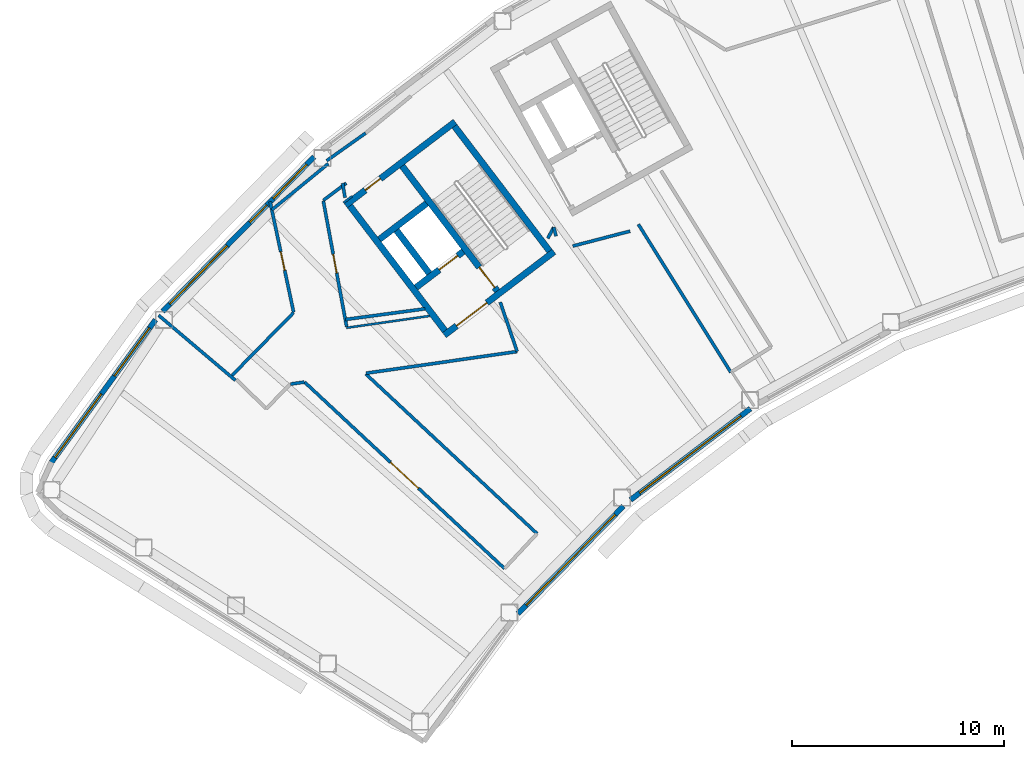
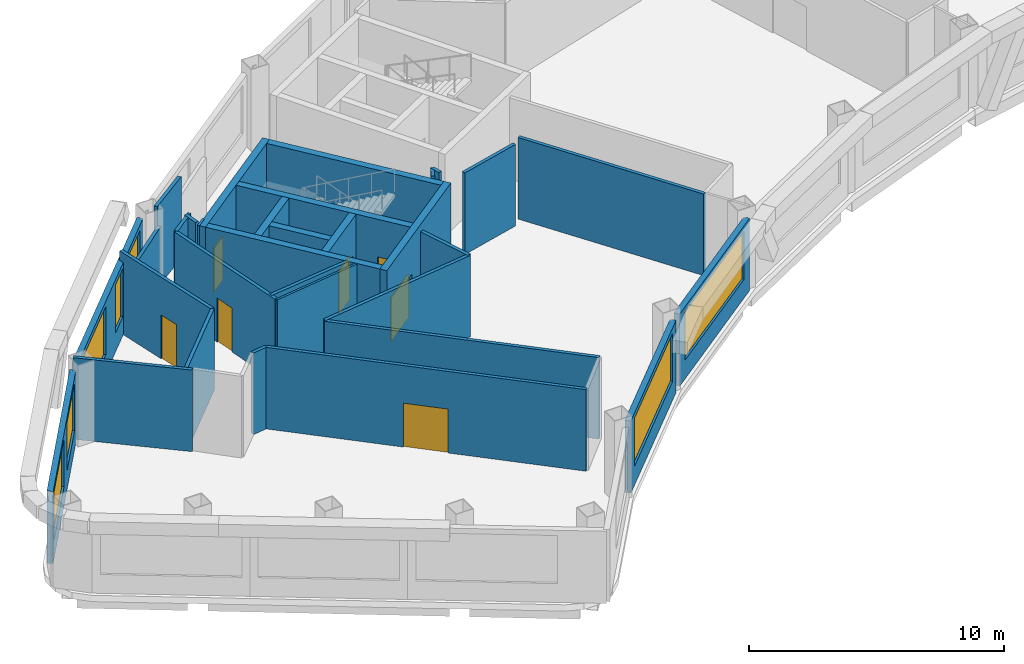
# One storey, part 5 of 13: 32 walls, 7 doors, 7 windows, 14 openings.
"""IFC4 building model written with IfcOpenShell, lengths in metres."""

from ifc_helpers import new_model, si_unit, direction, frame, frame_2d, origin, place, context, subcontext, project, spatial, rectangle, extrude, material, layer, layer_set, type_object, element, fill, save


model = new_model("IFC4")

# Units and contexts
model_context = context("Model", 3, precision=1e-05, world=origin(), true_north=direction((0.0, 1.0)))
body_context = subcontext(model_context, "Body", "Model", "MODEL_VIEW")
ifc_project = project(units=[si_unit("LENGTHUNIT", "METRE"), si_unit("AREAUNIT", "SQUARE_METRE"), si_unit("VOLUMEUNIT", "CUBIC_METRE"), si_unit("PLANEANGLEUNIT", "RADIAN"), si_unit("MASSUNIT", "GRAM", prefix="KILO")], contexts=[model_context])

# Site, building, storey
site_placement = place(None, origin())
site = spatial("IfcSite", under=ifc_project, at=site_placement, CompositionType="ELEMENT")
building_placement = place(site_placement, origin())
building = spatial("IfcBuilding", under=site, at=building_placement, Name="Tuul Gate Civic Tower", CompositionType="ELEMENT")
storey_placement = place(building_placement, frame((0.0, 0.0, 290.0)))
storey = spatial("IfcBuildingStorey", under=building, at=storey_placement, Name="Level 65", CompositionType="ELEMENT", Elevation=290.0)

# Wall, opening, door
ifc_material_1 = material(Name="Concrete C50/60", Category="concrete")
ifc_layer_1 = layer(ifc_material_1, 0.300048828125)
ifc_layer_set_1 = layer_set([ifc_layer_1], Name="Concrete C50/60")
wall_type_1 = type_object("IfcWallType", Name="Core wall C50/60", PredefinedType="SHEAR", material=ifc_layer_set_1)
wall_1_placement = place(storey_placement, frame((-31.19091796875, -13.669677734375, 0.0), z_axis=(0.0, 0.0, 1.0), x_axis=(-0.795606717756, -0.605813461934, 0.0)))
wall_1 = element("IfcWall", 1, at=wall_1_placement, inside=storey, type_object=wall_type_1, Name="Core wall", PredefinedType="SHEAR", context=body_context, shape_type="SweptSolid", body=[
    extrude(rectangle(XDim=6.5, YDim=0.300048828125, at=frame_2d((3.25, 0.0))), origin(), (0.0, 0.0, 1.0), 3.89990234375),
])
opening_1_placement = place(wall_1_placement, frame((3.97509765625, 0.0, 0.0)))
opening_1 = element("IfcOpeningElement", 2, at=opening_1_placement, cuts=wall_1, Name="Opening LB-W1-LOBBY-1", PredefinedType="OPENING", context=body_context, shape_type="SweptSolid", body=[
    extrude(rectangle(XDim=1.800048828125, YDim=2.10009765625, at=frame_2d((0.89990234375, 1.050048828125))), frame((0.0, 0.16015625, 0.0), z_axis=(0.0, -1.0, 0.0), x_axis=(1.0, 0.0, 0.0)), (0.0, 0.0, 1.0), 0.320068359375),
])
ifc_material_2 = material(Name="Steel", Category="steel")
door_type_1 = type_object("IfcDoorType", Name="Lobby door", OperationType="DOUBLE_DOOR_SINGLE_SWING", PredefinedType="DOOR", material=ifc_material_2)
door_1_placement = place(opening_1_placement, origin())
door_1 = element("IfcDoor", 3, at=door_1_placement, inside=storey, type_object=door_type_1, Name="Lobby door W1-LOBBY", OperationType="DOUBLE_DOOR_SINGLE_SWING", OverallHeight=2.10009765625, OverallWidth=1.800048828125, PredefinedType="DOOR", context=body_context, shape_type="SweptSolid", body=[
    extrude(rectangle(XDim=1.800048828125, YDim=2.10009765625, at=frame_2d((0.89990234375, 1.050048828125))), frame((0.0, 0.02490234375, 0.0), z_axis=(0.0, -1.0, 0.0), x_axis=(1.0, 0.0, 0.0)), (0.0, 0.0, 1.0), 0.050048828125),
])
fill(opening_1, door_1)

wall_2_placement = place(storey_placement, frame((-35.470947265625, -13.66064453125, 0.0), z_axis=(0.0, 0.0, 1.0), x_axis=(-0.795615822227, -0.605801504968, 0.0)))
wall_2 = element("IfcWall", 4, at=wall_2_placement, inside=storey, type_object=wall_type_1, Name="Core wall", PredefinedType="SHEAR", context=body_context, shape_type="SweptSolid", body=[
    extrude(rectangle(XDim=2.800048828125, YDim=0.300048828125, at=frame_2d((1.39990234375, 0.0))), origin(), (0.0, 0.0, 1.0), 3.89990234375),
])
opening_2_placement = place(wall_2_placement, frame((0.324951171875, 0.0, 0.0)))
opening_2 = element("IfcOpeningElement", 5, at=opening_2_placement, cuts=wall_2, Name="Opening LD-H1", PredefinedType="OPENING", context=body_context, shape_type="SweptSolid", body=[
    extrude(rectangle(XDim=1.10009765625, YDim=2.10009765625, at=frame_2d((0.550048828125, 1.050048828125))), frame((0.0, 0.16015625, 0.0), z_axis=(0.0, -1.0, 0.0), x_axis=(1.0, 0.0, 0.0)), (0.0, 0.0, 1.0), 0.320068359375),
])
ifc_material_3 = material(Name="Stainless steel", Category="steel")
door_type_2 = type_object("IfcDoorType", Name="Landing door", OperationType="DOUBLE_DOOR_SLIDING", PredefinedType="DOOR", material=ifc_material_3)
door_2_placement = place(opening_2_placement, origin())
door_2 = element("IfcDoor", 6, at=door_2_placement, inside=storey, type_object=door_type_2, Name="High-rise lift H1 landing door", OperationType="DOUBLE_DOOR_SLIDING", OverallHeight=2.10009765625, OverallWidth=1.10009765625, PredefinedType="DOOR", context=body_context, shape_type="SweptSolid", body=[
    extrude(rectangle(XDim=1.10009765625, YDim=2.10009765625, at=frame_2d((0.550048828125, 1.050048828125))), frame((0.0, 0.02490234375, 0.0), z_axis=(0.0, -1.0, 0.0), x_axis=(1.0, 0.0, 0.0)), (0.0, 0.0, 1.0), 0.050048828125),
])
fill(opening_2, door_2)

# Wall
wall_3_placement = place(storey_placement, frame((-37.197509765625, -11.39306640625, 0.0), z_axis=(0.0, 0.0, 1.0), x_axis=(-0.795583820278, -0.605843531707, 0.0)))
element("IfcWall", 7, at=wall_3_placement, inside=storey, type_object=wall_type_1, Name="Core wall", PredefinedType="SHEAR", context=body_context, shape_type="SweptSolid", body=[
    extrude(rectangle(XDim=2.7998046875, YDim=0.300048828125, at=frame_2d((1.39990234375, 0.0))), origin(), (0.0, 0.0, 1.0), 3.89990234375),
])

# Wall, opening, door
wall_4_placement = place(storey_placement, frame((-35.855224609375, -7.543212890625, 0.0), z_axis=(0.0, 0.0, 1.0), x_axis=(-0.79563860527, -0.605771582202, 0.0)))
wall_4 = element("IfcWall", 8, at=wall_4_placement, inside=storey, type_object=wall_type_1, Name="Core wall", PredefinedType="SHEAR", context=body_context, shape_type="SweptSolid", body=[
    extrude(rectangle(XDim=6.5, YDim=0.300048828125, at=frame_2d((3.25, 0.0))), origin(), (0.0, 0.0, 1.0), 3.89990234375),
])
opening_3_placement = place(wall_4_placement, frame((4.425048828125, 0.0, 0.0)))
opening_3 = element("IfcOpeningElement", 9, at=opening_3_placement, cuts=wall_4, Name="Opening X-D19", PredefinedType="OPENING", context=body_context, shape_type="SweptSolid", body=[
    extrude(rectangle(XDim=0.89990234375, YDim=2.10009765625, at=frame_2d((0.449951171875, 1.050048828125))), frame((0.0, 0.16015625, 0.0), z_axis=(0.0, -1.0, 0.0), x_axis=(1.0, 0.0, 0.0)), (0.0, 0.0, 1.0), 0.320068359375),
])
ifc_material_4 = material(Name="Timber door leaf", Category="wood")
door_type_3 = type_object("IfcDoorType", Name="Door D09", OperationType="NOTDEFINED", PredefinedType="DOOR", material=ifc_material_4)
door_3_placement = place(opening_3_placement, origin())
door_3 = element("IfcDoor", 10, at=door_3_placement, inside=storey, type_object=door_type_3, Name="Door X-D19", OperationType="SINGLE_SWING_LEFT", OverallHeight=2.10009765625, OverallWidth=0.89990234375, PredefinedType="DOOR", context=body_context, shape_type="SweptSolid", body=[
    extrude(rectangle(XDim=0.89990234375, YDim=2.10009765625, at=frame_2d((0.449951171875, 1.050048828125))), frame((0.0, 0.02490234375, 0.0), z_axis=(0.0, -1.0, 0.0), x_axis=(1.0, 0.0, 0.0)), (0.0, 0.0, 1.0), 0.050048828125),
])
fill(opening_3, door_3)

# Wall
wall_5_placement = place(storey_placement, frame((-31.401123046875, -13.64111328125, 0.0), z_axis=(0.0, 0.0, 1.0), x_axis=(-0.605769822278, 0.795639945213, 0.0)))
element("IfcWall", 11, at=wall_5_placement, inside=storey, type_object=wall_type_1, Name="Core wall", PredefinedType="SHEAR", context=body_context, shape_type="SweptSolid", body=[
    extrude(rectangle(XDim=7.39990234375, YDim=0.300048828125, at=frame_2d((3.699951171875, 0.0))), origin(), (0.0, 0.0, 1.0), 3.89990234375),
])

# Wall, opening, door
wall_6_placement = place(storey_placement, frame((-33.867431640625, -15.51904296875, 0.0), z_axis=(0.0, 0.0, 1.0), x_axis=(-0.605769822278, 0.795639945213, 0.0)))
wall_6 = element("IfcWall", 12, at=wall_6_placement, inside=storey, type_object=wall_type_1, Name="Core wall", PredefinedType="SHEAR", context=body_context, shape_type="SweptSolid", body=[
    extrude(rectangle(XDim=7.39990234375, YDim=0.300048828125, at=frame_2d((3.699951171875, 0.0))), origin(), (0.0, 0.0, 1.0), 3.89990234375),
])
opening_4_placement = place(wall_6_placement, frame((0.199951171875, 0.0, 0.0)))
opening_4 = element("IfcOpeningElement", 13, at=opening_4_placement, cuts=wall_6, Name="Opening SD-ST-1", PredefinedType="OPENING", context=body_context, shape_type="SweptSolid", body=[
    extrude(rectangle(XDim=1.199951171875, YDim=2.10009765625, at=frame_2d((0.60009765625, 1.050048828125))), frame((0.0, 0.16015625, 0.0), z_axis=(0.0, -1.0, 0.0), x_axis=(1.0, 0.0, 0.0)), (0.0, 0.0, 1.0), 0.320068359375),
])
ifc_material_5 = material(Name="Steel", Category="steel")
door_type_4 = type_object("IfcDoorType", Name="Stair door", OperationType="NOTDEFINED", PredefinedType="DOOR", material=ifc_material_5)
door_4_placement = place(opening_4_placement, origin())
door_4 = element("IfcDoor", 14, at=door_4_placement, inside=storey, type_object=door_type_4, Name="Stair door ST-1", OperationType="SINGLE_SWING_LEFT", OverallHeight=2.10009765625, OverallWidth=1.199951171875, PredefinedType="DOOR", context=body_context, shape_type="SweptSolid", body=[
    extrude(rectangle(XDim=1.199951171875, YDim=2.10009765625, at=frame_2d((0.60009765625, 1.050048828125))), frame((0.0, 0.02490234375, 0.0), z_axis=(0.0, -1.0, 0.0), x_axis=(1.0, 0.0, 0.0)), (0.0, 0.0, 1.0), 0.050048828125),
])
fill(opening_4, door_4)

# Walls
wall_7_placement = place(storey_placement, frame((-37.073486328125, -14.6923828125, 0.0), z_axis=(0.0, 0.0, 1.0), x_axis=(-0.605728760074, 0.79567120673, 0.0)))
element("IfcWall", 15, at=wall_7_placement, inside=storey, type_object=wall_type_1, Name="Core wall", PredefinedType="SHEAR", context=body_context, shape_type="SweptSolid", body=[
    extrude(rectangle(XDim=2.550048828125, YDim=0.300048828125, at=frame_2d((1.27490234375, 0.0))), origin(), (0.0, 0.0, 1.0), 3.89990234375),
])
wall_8_placement = place(storey_placement, frame((-36.333984375, -17.397216796875, 0.0), z_axis=(0.0, 0.0, 1.0), x_axis=(-0.605753921168, 0.795652051458, 0.0)))
element("IfcWall", 16, at=wall_8_placement, inside=storey, type_object=wall_type_1, Name="Core wall", PredefinedType="SHEAR", context=body_context, shape_type="SweptSolid", body=[
    extrude(rectangle(XDim=7.400146484375, YDim=0.300048828125, at=frame_2d((3.7001953125, 0.0))), origin(), (0.0, 0.0, 1.0), 3.89990234375),
])
ifc_material_6 = material(Name="Gypsum board partition")
ifc_layer_2 = layer(ifc_material_6, 0.14990234375)
ifc_layer_set_2 = layer_set([ifc_layer_2], Name="Gypsum board partition")
wall_type_2 = type_object("IfcWallType", Name="Corridor wall P150", PredefinedType="PARTITIONING", material=ifc_layer_set_2)
wall_9_placement = place(storey_placement, frame((-41.910888671875, -9.379150390625, 0.0), z_axis=(0.0, 0.0, 1.0), x_axis=(0.815614578496, 0.578595592227, 0.0)))
element("IfcWall", 17, at=wall_9_placement, inside=storey, type_object=wall_type_2, Name="p037", PredefinedType="PARTITIONING", context=body_context, shape_type="SweptSolid", body=[
    extrude(rectangle(XDim=2.24853515625, YDim=0.14990234375, at=frame_2d((1.124267578125, 0.0))), origin(), (0.0, 0.0, 1.0), 3.89990234375),
])
wall_10_placement = place(storey_placement, frame((-41.1591796875, -10.440185546875, 0.0), z_axis=(0.0, 0.0, 1.0), x_axis=(0.161406906442, -0.986887942247, 0.0)))
element("IfcWall", 18, at=wall_10_placement, inside=storey, type_object=wall_type_2, Name="p038", PredefinedType="PARTITIONING", context=body_context, shape_type="SweptSolid", body=[
    extrude(rectangle(XDim=0.688232421875, YDim=0.14990234375, at=frame_2d((0.34423828125, 0.0))), origin(), (0.0, 0.0, 1.0), 3.89990234375),
])

# Wall, opening, door
wall_11_placement = place(storey_placement, frame((-44.58203125, -11.31005859375, 0.0), z_axis=(0.0, 0.0, 1.0), x_axis=(0.208441171987, -0.978034906238, 0.0)))
wall_11 = element("IfcWall", 19, at=wall_11_placement, inside=storey, type_object=wall_type_2, Name="p039", PredefinedType="PARTITIONING", context=body_context, shape_type="SweptSolid", body=[
    extrude(rectangle(XDim=5.333984375, YDim=0.14990234375, at=frame_2d((2.6669921875, 0.0))), origin(), (0.0, 0.0, 1.0), 3.89990234375),
])
opening_5_placement = place(wall_11_placement, frame((2.415283203125, 0.0, 0.0)))
opening_5 = element("IfcOpeningElement", 20, at=opening_5_placement, cuts=wall_11, Name="Opening X-D07", PredefinedType="OPENING", context=body_context, shape_type="SweptSolid", body=[
    extrude(rectangle(XDim=0.89990234375, YDim=2.10009765625, at=frame_2d((0.449951171875, 1.050048828125))), frame((0.0, 0.0849609375, 0.0), z_axis=(0.0, -1.0, 0.0), x_axis=(1.0, 0.0, 0.0)), (0.0, 0.0, 1.0), 0.169921875),
])
door_5_placement = place(opening_5_placement, frame((0.89990234375, 0.0, 0.0), z_axis=(0.0, 0.0, 1.0), x_axis=(-1.0, 0.0, 0.0)))
door_5 = element("IfcDoor", 21, at=door_5_placement, inside=storey, type_object=door_type_3, Name="Door X-D07", OperationType="SINGLE_SWING_LEFT", OverallHeight=2.10009765625, OverallWidth=0.89990234375, PredefinedType="DOOR", context=body_context, shape_type="SweptSolid", body=[
    extrude(rectangle(XDim=0.89990234375, YDim=2.10009765625, at=frame_2d((0.449951171875, 1.050048828125))), frame((0.0, 0.02490234375, 0.0), z_axis=(0.0, -1.0, 0.0), x_axis=(1.0, 0.0, 0.0)), (0.0, 0.0, 1.0), 0.050048828125),
])
fill(opening_5, door_5)

# Walls
wall_12_placement = place(storey_placement, frame((-46.37109375, -19.499755859375, 0.0), z_axis=(0.0, 0.0, 1.0), x_axis=(0.700018298285, 0.714124906488, 0.0)))
element("IfcWall", 22, at=wall_12_placement, inside=storey, type_object=wall_type_2, Name="p040", PredefinedType="PARTITIONING", context=body_context, shape_type="SweptSolid", body=[
    extrude(rectangle(XDim=4.13623046875, YDim=0.14990234375, at=frame_2d((2.068115234375, 0.0))), origin(), (0.0, 0.0, 1.0), 3.89990234375),
])
wall_13_placement = place(storey_placement, frame((-49.8369140625, -16.67041015625, 0.0), z_axis=(0.0, 0.0, 1.0), x_axis=(0.762898181232, -0.646518650213, 0.0)))
element("IfcWall", 23, at=wall_13_placement, inside=storey, type_object=wall_type_2, Name="p042", PredefinedType="PARTITIONING", context=body_context, shape_type="SweptSolid", body=[
    extrude(rectangle(XDim=4.7451171875, YDim=0.14990234375, at=frame_2d((2.37255859375, 0.0))), origin(), (0.0, 0.0, 1.0), 3.89990234375),
])
wall_14_placement = place(storey_placement, frame((-41.027587890625, -16.866455078125, 0.0), z_axis=(0.0, 0.0, 1.0), x_axis=(0.991159074057, 0.132678897776, 0.0)))
element("IfcWall", 24, at=wall_14_placement, inside=storey, type_object=wall_type_2, Name="p072", PredefinedType="PARTITIONING", context=body_context, shape_type="SweptSolid", body=[
    extrude(rectangle(XDim=3.786865234375, YDim=0.14990234375, at=frame_2d((1.8935546875, 0.0))), origin(), (0.0, 0.0, 1.0), 3.89990234375),
])
wall_15_placement = place(storey_placement, frame((-43.619873046875, -19.913330078125, 0.0), z_axis=(0.0, 0.0, 1.0), x_axis=(0.989830914815, 0.142248936993, 0.0)))
element("IfcWall", 25, at=wall_15_placement, inside=storey, type_object=wall_type_2, Name="p081", PredefinedType="PARTITIONING", context=body_context, shape_type="SweptSolid", body=[
    extrude(rectangle(XDim=0.660888671875, YDim=0.14990234375, at=frame_2d((0.33056640625, 0.0))), origin(), (0.0, 0.0, 1.0), 3.89990234375),
])
wall_16_placement = place(storey_placement, frame((-40.05517578125, -19.401611328125, 0.0), z_axis=(0.0, 0.0, 1.0), x_axis=(0.989848865638, 0.142123971218, 0.0)))
element("IfcWall", 26, at=wall_16_placement, inside=storey, type_object=wall_type_2, Name="p082", PredefinedType="PARTITIONING", context=body_context, shape_type="SweptSolid", body=[
    extrude(rectangle(XDim=7.19921875, YDim=0.14990234375, at=frame_2d((3.599609375, 0.0))), origin(), (0.0, 0.0, 1.0), 3.89990234375),
])

# Wall, opening, door
wall_17_placement = place(storey_placement, frame((-42.951416015625, -19.82275390625, 0.0), z_axis=(0.0, 0.0, 1.0), x_axis=(0.731375809492, -0.681974651501, 0.0)))
wall_17 = element("IfcWall", 27, at=wall_17_placement, inside=storey, type_object=wall_type_2, Name="p083", PredefinedType="PARTITIONING", context=body_context, shape_type="SweptSolid", body=[
    extrude(rectangle(XDim=12.888671875, YDim=0.14990234375, at=frame_2d((6.4443359375, 0.0))), origin(), (0.0, 0.0, 1.0), 3.89990234375),
])
opening_6_placement = place(wall_17_placement, frame((5.544189453125, 0.0, 0.0)))
opening_6 = element("IfcOpeningElement", 28, at=opening_6_placement, cuts=wall_17, Name="Opening X-D13", PredefinedType="OPENING", context=body_context, shape_type="SweptSolid", body=[
    extrude(rectangle(XDim=1.800048828125, YDim=2.10009765625, at=frame_2d((0.89990234375, 1.050048828125))), frame((0.0, 0.0849609375, 0.0), z_axis=(0.0, -1.0, 0.0), x_axis=(1.0, 0.0, 0.0)), (0.0, 0.0, 1.0), 0.169921875),
])
ifc_material_7 = material(Name="Timber door leaf, double", Category="wood")
door_type_5 = type_object("IfcDoorType", Name="Door D18", OperationType="DOUBLE_DOOR_SINGLE_SWING", PredefinedType="DOOR", material=ifc_material_7)
door_6_placement = place(opening_6_placement, frame((1.800048828125, 0.0, 0.0), z_axis=(0.0, 0.0, 1.0), x_axis=(-1.0, 0.0, 0.0)))
door_6 = element("IfcDoor", 29, at=door_6_placement, inside=storey, type_object=door_type_5, Name="Door X-D13", OperationType="DOUBLE_DOOR_SINGLE_SWING", OverallHeight=2.10009765625, OverallWidth=1.800048828125, PredefinedType="DOOR", context=body_context, shape_type="SweptSolid", body=[
    extrude(rectangle(XDim=1.800048828125, YDim=2.10009765625, at=frame_2d((0.900146484375, 1.050048828125))), frame((0.0, 0.02490234375, 0.0), z_axis=(0.0, -1.0, 0.0), x_axis=(1.0, 0.0, 0.0)), (0.0, 0.0, 1.0), 0.050048828125),
])
fill(opening_6, door_6)

# Walls
wall_18_placement = place(storey_placement, frame((-40.066162109375, -19.436279296875, 0.0), z_axis=(0.0, 0.0, 1.0), x_axis=(0.731350768373, -0.68200150557, 0.0)))
element("IfcWall", 30, at=wall_18_placement, inside=storey, type_object=wall_type_2, Name="p085", PredefinedType="PARTITIONING", context=body_context, shape_type="SweptSolid", body=[
    extrude(rectangle(XDim=11.042236328125, YDim=0.14990234375, at=frame_2d((5.52099609375, 0.0))), origin(), (0.0, 0.0, 1.0), 3.89990234375),
])
wall_19_placement = place(storey_placement, frame((-33.726806640625, -16.052490234375, 0.0), z_axis=(0.0, 0.0, 1.0), x_axis=(0.324466468546, -0.945897198848, 0.0)))
element("IfcWall", 31, at=wall_19_placement, inside=storey, type_object=wall_type_2, Name="p086", PredefinedType="PARTITIONING", context=body_context, shape_type="SweptSolid", body=[
    extrude(rectangle(XDim=2.458984375, YDim=0.14990234375, at=frame_2d((1.2294921875, 0.0))), origin(), (0.0, 0.0, 1.0), 3.89990234375),
])
wall_20_placement = place(storey_placement, frame((-31.484130859375, -13.036865234375, 0.0), z_axis=(0.0, 0.0, 1.0), x_axis=(0.480647952313, 0.876913647937, 0.0)))
element("IfcWall", 32, at=wall_20_placement, inside=storey, type_object=wall_type_2, Name="p087", PredefinedType="PARTITIONING", context=body_context, shape_type="SweptSolid", body=[
    extrude(rectangle(XDim=0.59033203125, YDim=0.14990234375, at=frame_2d((0.295166015625, 0.0))), origin(), (0.0, 0.0, 1.0), 3.89990234375),
])
wall_21_placement = place(storey_placement, frame((-31.200439453125, -12.519287109375, 0.0), z_axis=(0.0, 0.0, 1.0), x_axis=(0.251794291014, -0.967780778386, 0.0)))
element("IfcWall", 33, at=wall_21_placement, inside=storey, type_object=wall_type_2, Name="p088", PredefinedType="PARTITIONING", context=body_context, shape_type="SweptSolid", body=[
    extrude(rectangle(XDim=0.427490234375, YDim=0.14990234375, at=frame_2d((0.2138671875, 0.0))), origin(), (0.0, 0.0, 1.0), 3.89990234375),
])
wall_22_placement = place(storey_placement, frame((-30.30615234375, -13.404052734375, 0.0), z_axis=(0.0, 0.0, 1.0), x_axis=(0.967810153174, 0.251681360878, 0.0)))
element("IfcWall", 34, at=wall_22_placement, inside=storey, type_object=wall_type_2, Name="p089", PredefinedType="PARTITIONING", context=body_context, shape_type="SweptSolid", body=[
    extrude(rectangle(XDim=2.791748046875, YDim=0.14990234375, at=frame_2d((1.39599609375, 0.0))), origin(), (0.0, 0.0, 1.0), 3.89990234375),
])
wall_23_placement = place(storey_placement, frame((-27.21142578125, -12.37890625, 0.0), z_axis=(0.0, 0.0, 1.0), x_axis=(0.529910946181, -0.848053293796, 0.0)))
element("IfcWall", 35, at=wall_23_placement, inside=storey, type_object=wall_type_2, Name="p090", PredefinedType="PARTITIONING", context=body_context, shape_type="SweptSolid", body=[
    extrude(rectangle(XDim=8.230224609375, YDim=0.14990234375, at=frame_2d((4.115234375, 0.0))), origin(), (0.0, 0.0, 1.0), 3.89990234375),
])

# Wall, opening, door
wall_24_placement = place(storey_placement, frame((-42.072998046875, -11.2626953125, 0.0), z_axis=(0.0, 0.0, 1.0), x_axis=(0.182422016372, -0.983220325229, 0.0)))
wall_24 = element("IfcWall", 36, at=wall_24_placement, inside=storey, type_object=wall_type_2, Name="p096", PredefinedType="PARTITIONING", context=body_context, shape_type="SweptSolid", body=[
    extrude(rectangle(XDim=6.04248046875, YDim=0.14990234375, at=frame_2d((3.021240234375, 0.0))), origin(), (0.0, 0.0, 1.0), 3.89990234375),
])
opening_7_placement = place(wall_24_placement, frame((2.5712890625, 0.0, 0.0)))
opening_7 = element("IfcOpeningElement", 37, at=opening_7_placement, cuts=wall_24, Name="Opening X-D15", PredefinedType="OPENING", context=body_context, shape_type="SweptSolid", body=[
    extrude(rectangle(XDim=0.89990234375, YDim=2.10009765625, at=frame_2d((0.449951171875, 1.050048828125))), frame((0.0, 0.0849609375, 0.0), z_axis=(0.0, -1.0, 0.0), x_axis=(1.0, 0.0, 0.0)), (0.0, 0.0, 1.0), 0.169921875),
])
door_7_placement = place(opening_7_placement, origin())
door_7 = element("IfcDoor", 38, at=door_7_placement, inside=storey, type_object=door_type_3, Name="Door X-D15", OperationType="SINGLE_SWING_RIGHT", OverallHeight=2.10009765625, OverallWidth=0.89990234375, PredefinedType="DOOR", context=body_context, shape_type="SweptSolid", body=[
    extrude(rectangle(XDim=0.89990234375, YDim=2.10009765625, at=frame_2d((0.449951171875, 1.050048828125))), frame((0.0, 0.02490234375, 0.0), z_axis=(0.0, -1.0, 0.0), x_axis=(1.0, 0.0, 0.0)), (0.0, 0.0, 1.0), 0.050048828125),
])
fill(opening_7, door_7)

# Walls
wall_25_placement = place(storey_placement, frame((-42.06640625, -11.243408203125, 0.0), z_axis=(0.0, 0.0, 1.0), x_axis=(0.800391857902, 0.599477167041, 0.0)))
element("IfcWall", 39, at=wall_25_placement, inside=storey, type_object=wall_type_2, Name="p097", PredefinedType="PARTITIONING", context=body_context, shape_type="SweptSolid", body=[
    extrude(rectangle(XDim=1.34521484375, YDim=0.14990234375, at=frame_2d((0.672607421875, 0.0))), origin(), (0.0, 0.0, 1.0), 3.89990234375),
])
ifc_material_8 = material(Name="Gypsum board partition")
ifc_layer_3 = layer(ifc_material_8, 0.14990234375)
ifc_layer_set_3 = layer_set([ifc_layer_3], Name="Gypsum board partition")
wall_type_3 = type_object("IfcWallType", Name="Corridor wall P150 3000 HIGH", PredefinedType="PARTITIONING", material=ifc_layer_set_3)
wall_26_placement = place(storey_placement, frame((-44.498779296875, -11.69677734375, 0.0), z_axis=(0.0, 0.0, 1.0), x_axis=(0.773932002212, 0.633268707542, 0.0)))
element("IfcWall", 40, at=wall_26_placement, inside=storey, type_object=wall_type_3, Name="p035", PredefinedType="PARTITIONING", context=body_context, shape_type="SweptSolid", body=[
    extrude(rectangle(XDim=3.43994140625, YDim=0.14990234375, at=frame_2d((1.719970703125, 0.0))), origin(), (0.0, 0.0, 1.0), 3.0),
])

# Wall, openings, windows
ifc_material_9 = material(Name="Precast concrete C40/50", Category="concrete")
ifc_layer_4 = layer(ifc_material_9, 0.25)
ifc_layer_set_4 = layer_set([ifc_layer_4], Name="Precast concrete C40/50")
wall_type_4 = type_object("IfcWallType", Name="External wall", PredefinedType="STANDARD", material=ifc_layer_set_4)
wall_27_placement = place(storey_placement, frame((-42.509033203125, -9.20263671875, 0.0), z_axis=(0.0, 0.0, 1.0), x_axis=(-0.700044359254, -0.714099359387, 0.0)))
wall_27 = element("IfcWall", 41, at=wall_27_placement, inside=storey, type_object=wall_type_4, Name="External wall", PredefinedType="STANDARD", context=body_context, shape_type="SweptSolid", body=[
    extrude(rectangle(XDim=10.1962890625, YDim=0.25, at=frame_2d((5.09814453125, 0.0))), origin(), (0.0, 0.0, 1.0), 3.449951171875),
])
opening_8_placement = place(wall_27_placement, frame((5.85986328125, 0.0, 0.89990234375)))
opening_8 = element("IfcOpeningElement", 42, at=opening_8_placement, cuts=wall_27, Name="Opening W22", PredefinedType="OPENING", context=body_context, shape_type="SweptSolid", body=[
    extrude(rectangle(XDim=3.85009765625, YDim=2.300048828125, at=frame_2d((1.925048828125, 1.14990234375))), frame((0.0, 0.135009765625, 0.0), z_axis=(0.0, -1.0, 0.0), x_axis=(1.0, 0.0, 0.0)), (0.0, 0.0, 1.0), 0.27001953125),
])
opening_9_placement = place(wall_27_placement, frame((0.497314453125, 0.0, 0.89990234375)))
opening_9 = element("IfcOpeningElement", 43, at=opening_9_placement, cuts=wall_27, Name="Opening W42", PredefinedType="OPENING", context=body_context, shape_type="SweptSolid", body=[
    extrude(rectangle(XDim=2.25, YDim=2.300048828125, at=frame_2d((1.125, 1.14990234375))), frame((0.0, 0.135009765625, 0.0), z_axis=(0.0, -1.0, 0.0), x_axis=(1.0, 0.0, 0.0)), (0.0, 0.0, 1.0), 0.27001953125),
])
opening_10_placement = place(wall_27_placement, frame((3.17236328125, 0.0, 0.89990234375)))
opening_10 = element("IfcOpeningElement", 44, at=opening_10_placement, cuts=wall_27, Name="Opening W43", PredefinedType="OPENING", context=body_context, shape_type="SweptSolid", body=[
    extrude(rectangle(XDim=1.14990234375, YDim=2.300048828125, at=frame_2d((0.574951171875, 1.14990234375))), frame((0.0, 0.135009765625, 0.0), z_axis=(0.0, -1.0, 0.0), x_axis=(1.0, 0.0, 0.0)), (0.0, 0.0, 1.0), 0.27001953125),
])
ifc_material_10 = material(Name="Glass", Category="glass")
window_type_1 = type_object("IfcWindowType", Name="Window 1150 x 2300", PartitioningType="SINGLE_PANEL", PredefinedType="WINDOW", material=ifc_material_10)
window_1_placement = place(opening_10_placement, origin())
window_1 = element("IfcWindow", 45, at=window_1_placement, inside=storey, type_object=window_type_1, Name="Window", OverallHeight=2.300048828125, OverallWidth=1.14990234375, PartitioningType="SINGLE_PANEL", PredefinedType="WINDOW", context=body_context, shape_type="SweptSolid", body=[
    extrude(rectangle(XDim=1.14990234375, YDim=2.300048828125, at=frame_2d((0.574951171875, 1.14990234375))), frame((0.0, 0.030029296875, 0.0), z_axis=(0.0, -1.0, 0.0), x_axis=(1.0, 0.0, 0.0)), (0.0, 0.0, 1.0), 0.06005859375),
])
fill(opening_10, window_1)
ifc_material_11 = material(Name="Glass", Category="glass")
window_type_2 = type_object("IfcWindowType", Name="Window 2250 x 2300", PartitioningType="SINGLE_PANEL", PredefinedType="WINDOW", material=ifc_material_11)
window_2_placement = place(opening_9_placement, origin())
window_2 = element("IfcWindow", 46, at=window_2_placement, inside=storey, type_object=window_type_2, Name="Window", OverallHeight=2.300048828125, OverallWidth=2.25, PartitioningType="SINGLE_PANEL", PredefinedType="WINDOW", context=body_context, shape_type="SweptSolid", body=[
    extrude(rectangle(XDim=2.25, YDim=2.300048828125, at=frame_2d((1.125, 1.14990234375))), frame((0.0, 0.030029296875, 0.0), z_axis=(0.0, -1.0, 0.0), x_axis=(1.0, 0.0, 0.0)), (0.0, 0.0, 1.0), 0.06005859375),
])
fill(opening_9, window_2)
ifc_material_12 = material(Name="Glass", Category="glass")
window_type_3 = type_object("IfcWindowType", Name="Window W22 3850 x 2300", PartitioningType="SINGLE_PANEL", PredefinedType="WINDOW", material=ifc_material_12)
window_3_placement = place(opening_8_placement, origin())
window_3 = element("IfcWindow", 47, at=window_3_placement, inside=storey, type_object=window_type_3, Name="Window", OverallHeight=2.300048828125, OverallWidth=3.85009765625, PartitioningType="SINGLE_PANEL", PredefinedType="WINDOW", context=body_context, shape_type="SweptSolid", body=[
    extrude(rectangle(XDim=3.85009765625, YDim=2.300048828125, at=frame_2d((1.925048828125, 1.14990234375))), frame((0.0, 0.030029296875, 0.0), z_axis=(0.0, -1.0, 0.0), x_axis=(1.0, 0.0, 0.0)), (0.0, 0.0, 1.0), 0.06005859375),
])
fill(opening_8, window_3)

wall_28_placement = place(storey_placement, frame((-49.98388671875, -16.880615234375, 0.0), z_axis=(0.0, 0.0, 1.0), x_axis=(-0.589770614985, -0.807570815285, 0.0)))
wall_28 = element("IfcWall", 48, at=wall_28_placement, inside=storey, type_object=wall_type_4, Name="External wall", PredefinedType="STANDARD", context=body_context, shape_type="SweptSolid", body=[
    extrude(rectangle(XDim=8.337646484375, YDim=0.25, at=frame_2d((4.1689453125, 0.0))), origin(), (0.0, 0.0, 1.0), 3.449951171875),
])
opening_11_placement = place(wall_28_placement, frame((0.48486328125, 0.0, 0.89990234375)))
opening_11 = element("IfcOpeningElement", 49, at=opening_11_placement, cuts=wall_28, Name="Opening W23", PredefinedType="OPENING", context=body_context, shape_type="SweptSolid", body=[
    extrude(rectangle(XDim=2.800048828125, YDim=2.300048828125, at=frame_2d((1.39990234375, 1.14990234375))), frame((0.0, 0.135009765625, 0.0), z_axis=(0.0, -1.0, 0.0), x_axis=(1.0, 0.0, 0.0)), (0.0, 0.0, 1.0), 0.27001953125),
])
opening_12_placement = place(wall_28_placement, frame((4.33642578125, 0.0, 0.89990234375)))
opening_12 = element("IfcOpeningElement", 50, at=opening_12_placement, cuts=wall_28, Name="Opening W21", PredefinedType="OPENING", context=body_context, shape_type="SweptSolid", body=[
    extrude(rectangle(XDim=3.699951171875, YDim=2.300048828125, at=frame_2d((1.85009765625, 1.14990234375))), frame((0.0, 0.135009765625, 0.0), z_axis=(0.0, -1.0, 0.0), x_axis=(1.0, 0.0, 0.0)), (0.0, 0.0, 1.0), 0.27001953125),
])
ifc_material_13 = material(Name="Glass", Category="glass")
window_type_4 = type_object("IfcWindowType", Name="Window W21 3700 x 2300", PartitioningType="SINGLE_PANEL", PredefinedType="WINDOW", material=ifc_material_13)
window_4_placement = place(opening_12_placement, origin())
window_4 = element("IfcWindow", 51, at=window_4_placement, inside=storey, type_object=window_type_4, Name="Window", OverallHeight=2.300048828125, OverallWidth=3.699951171875, PartitioningType="SINGLE_PANEL", PredefinedType="WINDOW", context=body_context, shape_type="SweptSolid", body=[
    extrude(rectangle(XDim=3.699951171875, YDim=2.300048828125, at=frame_2d((1.85009765625, 1.14990234375))), frame((0.0, 0.030029296875, 0.0), z_axis=(0.0, -1.0, 0.0), x_axis=(1.0, 0.0, 0.0)), (0.0, 0.0, 1.0), 0.06005859375),
])
fill(opening_12, window_4)
ifc_material_14 = material(Name="Glass", Category="glass")
window_type_5 = type_object("IfcWindowType", Name="Window W23 2800 x 2300", PartitioningType="SINGLE_PANEL", PredefinedType="WINDOW", material=ifc_material_14)
window_5_placement = place(opening_11_placement, origin())
window_5 = element("IfcWindow", 52, at=window_5_placement, inside=storey, type_object=window_type_5, Name="Window", OverallHeight=2.300048828125, OverallWidth=2.800048828125, PartitioningType="SINGLE_PANEL", PredefinedType="WINDOW", context=body_context, shape_type="SweptSolid", body=[
    extrude(rectangle(XDim=2.800048828125, YDim=2.300048828125, at=frame_2d((1.39990234375, 1.14990234375))), frame((0.0, 0.030029296875, 0.0), z_axis=(0.0, -1.0, 0.0), x_axis=(1.0, 0.0, 0.0)), (0.0, 0.0, 1.0), 0.06005859375),
])
fill(opening_11, window_5)

# Wall, opening, window
wall_29_placement = place(storey_placement, frame((-32.89306640625, -30.749267578125, 0.0), z_axis=(0.0, 0.0, 1.0), x_axis=(0.700033997015, 0.714109517528, 0.0)))
wall_29 = element("IfcWall", 53, at=wall_29_placement, inside=storey, type_object=wall_type_4, Name="External wall", PredefinedType="STANDARD", context=body_context, shape_type="SweptSolid", body=[
    extrude(rectangle(XDim=7.111572265625, YDim=0.25, at=frame_2d((3.5556640625, 0.0))), origin(), (0.0, 0.0, 1.0), 3.449951171875),
])
opening_13_placement = place(wall_29_placement, frame((0.555908203125, 0.0, 0.89990234375)))
opening_13 = element("IfcOpeningElement", 54, at=opening_13_placement, cuts=wall_29, Name="Opening W26", PredefinedType="OPENING", context=body_context, shape_type="SweptSolid", body=[
    extrude(rectangle(XDim=6.0, YDim=2.300048828125, at=frame_2d((3.0, 1.14990234375))), frame((0.0, 0.135009765625, 0.0), z_axis=(0.0, -1.0, 0.0), x_axis=(1.0, 0.0, 0.0)), (0.0, 0.0, 1.0), 0.27001953125),
])
ifc_material_15 = material(Name="Glass", Category="glass")
window_type_6 = type_object("IfcWindowType", Name="Window W26 6000 x 2300", PartitioningType="SINGLE_PANEL", PredefinedType="WINDOW", material=ifc_material_15)
window_6_placement = place(opening_13_placement, origin())
window_6 = element("IfcWindow", 55, at=window_6_placement, inside=storey, type_object=window_type_6, Name="Window", OverallHeight=2.300048828125, OverallWidth=6.0, PartitioningType="SINGLE_PANEL", PredefinedType="WINDOW", context=body_context, shape_type="SweptSolid", body=[
    extrude(rectangle(XDim=6.0, YDim=2.300048828125, at=frame_2d((3.0, 1.14990234375))), frame((0.0, 0.030029296875, 0.0), z_axis=(0.0, -1.0, 0.0), x_axis=(1.0, 0.0, 0.0)), (0.0, 0.0, 1.0), 0.06005859375),
])
fill(opening_13, window_6)

wall_30_placement = place(storey_placement, frame((-27.5791015625, -25.3759765625, 0.0), z_axis=(0.0, 0.0, 1.0), x_axis=(0.795582375141, 0.605845429433, 0.0)))
wall_30 = element("IfcWall", 56, at=wall_30_placement, inside=storey, type_object=wall_type_4, Name="External wall", PredefinedType="STANDARD", context=body_context, shape_type="SweptSolid", body=[
    extrude(rectangle(XDim=7.10400390625, YDim=0.25, at=frame_2d((3.552001953125, 0.0))), origin(), (0.0, 0.0, 1.0), 3.449951171875),
])
opening_14_placement = place(wall_30_placement, frame((0.541259765625, 0.0, 0.89990234375)))
opening_14 = element("IfcOpeningElement", 57, at=opening_14_placement, cuts=wall_30, Name="Opening W26", PredefinedType="OPENING", context=body_context, shape_type="SweptSolid", body=[
    extrude(rectangle(XDim=6.0, YDim=2.300048828125, at=frame_2d((3.0, 1.14990234375))), frame((0.0, 0.135009765625, 0.0), z_axis=(0.0, -1.0, 0.0), x_axis=(1.0, 0.0, 0.0)), (0.0, 0.0, 1.0), 0.27001953125),
])
window_7_placement = place(opening_14_placement, origin())
window_7 = element("IfcWindow", 58, at=window_7_placement, inside=storey, type_object=window_type_6, Name="Window", OverallHeight=2.300048828125, OverallWidth=6.0, PartitioningType="SINGLE_PANEL", PredefinedType="WINDOW", context=body_context, shape_type="SweptSolid", body=[
    extrude(rectangle(XDim=6.0, YDim=2.300048828125, at=frame_2d((3.0, 1.14990234375))), frame((0.0, 0.030029296875, 0.0), z_axis=(0.0, -1.0, 0.0), x_axis=(1.0, 0.0, 0.0)), (0.0, 0.0, 1.0), 0.06005859375),
])
fill(opening_14, window_7)

# Walls
ifc_material_16 = material(Name="Gypsum board partition")
ifc_layer_5 = layer(ifc_material_16, 0.10009765625)
ifc_layer_set_5 = layer_set([ifc_layer_5], Name="Gypsum board partition")
wall_type_5 = type_object("IfcWallType", Name="Partition P100", PredefinedType="PARTITIONING", material=ifc_layer_set_5)
wall_31_placement = place(storey_placement, frame((-37.054931640625, -16.69775390625, 0.0), z_axis=(0.0, 0.0, 1.0), x_axis=(-0.989851851896, -0.142103171314, 0.0)))
element("IfcWall", 59, at=wall_31_placement, inside=storey, type_object=wall_type_5, Name="p107", PredefinedType="PARTITIONING", context=body_context, shape_type="SweptSolid", body=[
    extrude(rectangle(XDim=3.960205078125, YDim=0.10009765625, at=frame_2d((1.97998046875, 0.0))), origin(), (0.0, 0.0, 1.0), 3.89990234375),
])
wall_32_placement = place(storey_placement, frame((-40.7158203125, -11.055419921875, 0.0), z_axis=(0.0, 0.0, 1.0), x_axis=(-0.795453906694, -0.606014094164, 0.0)))
element("IfcWall", 60, at=wall_32_placement, inside=storey, type_object=wall_type_5, Name="p108", PredefinedType="PARTITIONING", context=body_context, shape_type="SweptSolid", body=[
    extrude(rectangle(XDim=0.505126953125, YDim=0.10009765625, at=frame_2d((0.25244140625, 0.0))), origin(), (0.0, 0.0, 1.0), 3.89990234375),
])

save(model, "model.ifc")
